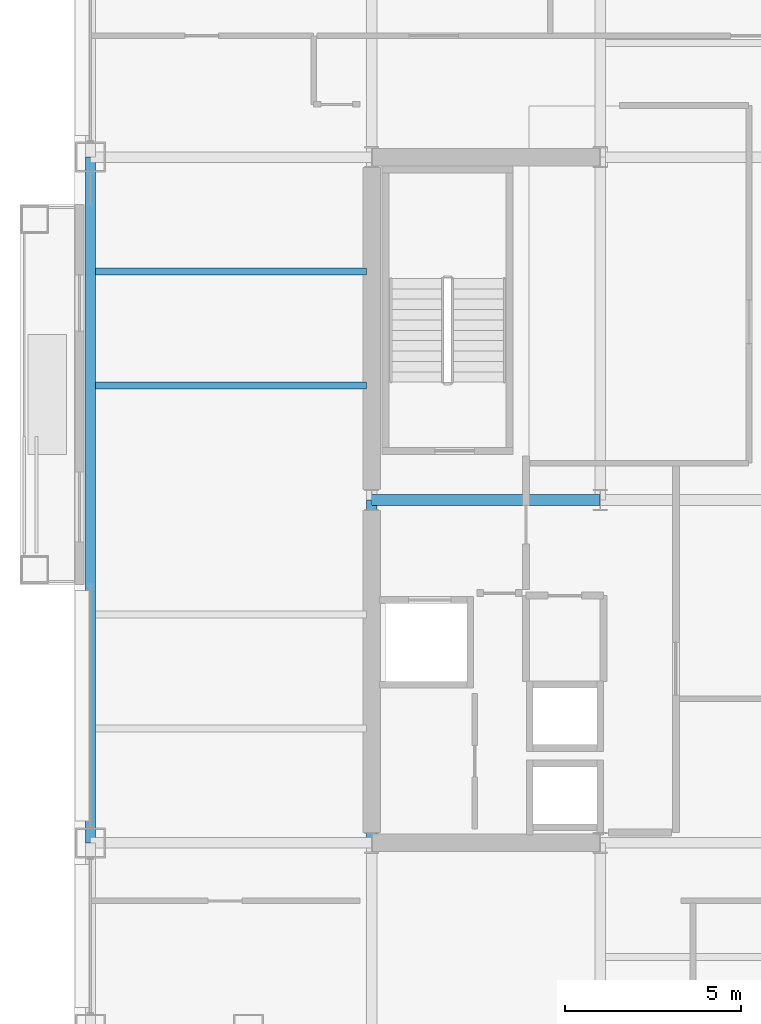
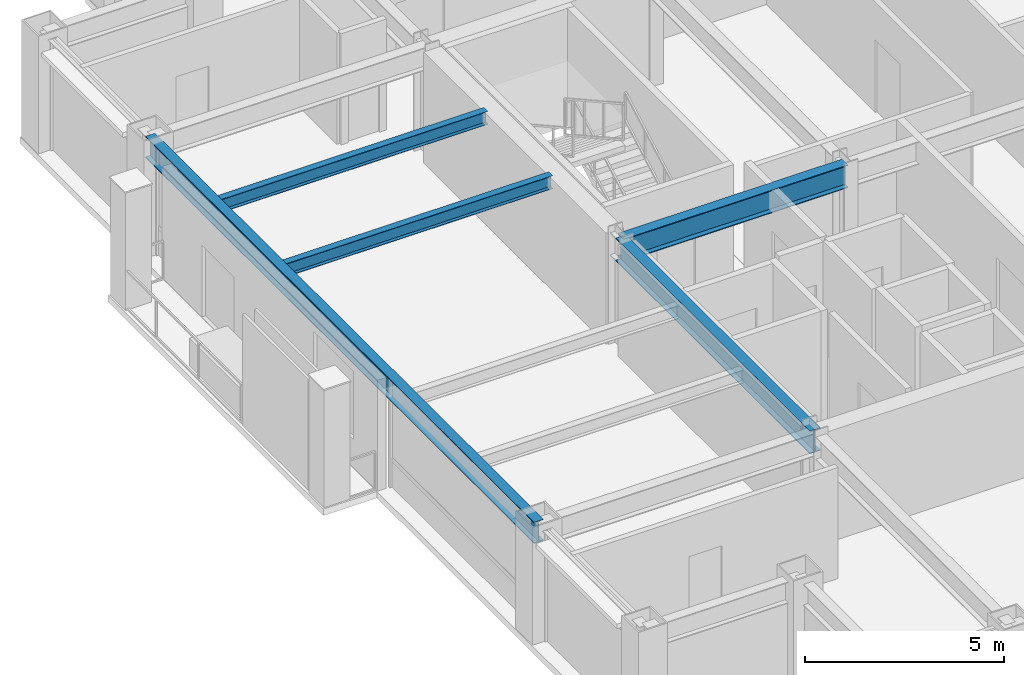
# One storey, part 10 of 31: 5 beams.
"""IFC4 building model written with IfcOpenShell, lengths in metres."""

from ifc_helpers import new_model, si_unit, direction, frame, origin, origin_2d, place, context, subcontext, project, spatial, i_section, extrude, material, material_profile, profile_set, type_object, element, save


model = new_model("IFC4")

# Units and contexts
model_context = context("Model", 3, precision=1e-05, world=origin(), true_north=direction((0.0, 1.0)))
body_context = subcontext(model_context, "Body", "Model", "MODEL_VIEW")
ifc_project = project(units=[si_unit("LENGTHUNIT", "METRE"), si_unit("AREAUNIT", "SQUARE_METRE"), si_unit("VOLUMEUNIT", "CUBIC_METRE"), si_unit("PLANEANGLEUNIT", "RADIAN"), si_unit("MASSUNIT", "GRAM", prefix="KILO")], contexts=[model_context])

# Site, building, storey
site_placement = place(None, origin())
site = spatial("IfcSite", under=ifc_project, at=site_placement, CompositionType="ELEMENT")
building_placement = place(site_placement, origin())
building = spatial("IfcBuilding", under=site, at=building_placement, Name="Brelmoor Portico Tower", CompositionType="ELEMENT")
storey_placement = place(building_placement, frame((0.0, 0.0, 106.199951171875)))
storey = spatial("IfcBuildingStorey", under=building, at=storey_placement, Name="L27", CompositionType="ELEMENT", Elevation=106.199951171875)

# Beams
ifc_material = material(Name="Steel Q355B", Category="steel")
ifc_material_profile_1 = material_profile(ifc_material, i_section(OverallWidth=0.199951171875, OverallDepth=0.39990234375, WebThickness=0.008056640625, FlangeThickness=0.012939453125, at=origin_2d()), Name="HN 400x200x8x13")
ifc_profile_set_1 = profile_set([ifc_material_profile_1], Name="Steel Q355B")
beam_type_1 = type_object("IfcBeamType", Name="BM-JS-400", PredefinedType="JOIST", material=ifc_profile_set_1)
for number, where, z_axis, x_axis, name in (
    (1, (-22.409912109375, 3.25, 3.199951171875), (1.0, 0.0, 0.0), (0.0, 1.0, 0.0), "L27 Secondary Wing Joist JS-W07"),
    (2, (-22.409912109375, 6.5, 3.199951171875), (1.0, 0.0, 0.0), (0.0, 1.0, 0.0), "L27 Secondary Wing Joist JS-W08"),
):
    element("IfcBeam", number, at=place(storey_placement, frame(where, z_axis=z_axis, x_axis=x_axis)), inside=storey, type_object=beam_type_1, Name=name, PredefinedType="JOIST", context=body_context, shape_type="SweptSolid", body=[
        extrude(i_section(OverallWidth=0.199951171875, OverallDepth=0.39990234375, WebThickness=0.008056640625, FlangeThickness=0.012939453125, at=origin_2d()), origin(), (0.0, 0.0, 1.0), 7.7099609375),
    ])
ifc_material_profile_2 = material_profile(ifc_material, i_section(OverallWidth=0.300048828125, OverallDepth=0.699951171875, WebThickness=0.012939453125, FlangeThickness=0.02392578125, at=origin_2d()), Name="HN 700x300x13x24")
ifc_profile_set_2 = profile_set([ifc_material_profile_2], Name="Steel Q355B")
beam_type_2 = type_object("IfcBeamType", Name="BM-PG-700", PredefinedType="BEAM", material=ifc_profile_set_2)
beam_1_placement = place(storey_placement, frame((-14.550048828125, -9.75, 3.050048828125), z_axis=(0.0, 1.0, 0.0), x_axis=(-1.0, 0.0, 0.0)))
element("IfcBeam", 3, at=beam_1_placement, inside=storey, type_object=beam_type_2, Name="L27 Primary Floor Girder PG-02", PredefinedType="BEAM", context=body_context, shape_type="SweptSolid", body=[
    extrude(i_section(OverallWidth=0.300048828125, OverallDepth=0.699951171875, WebThickness=0.012939453125, FlangeThickness=0.02392578125, at=origin_2d()), origin(), (0.0, 0.0, 1.0), 9.75),
])
beam_2_placement = place(storey_placement, frame((-14.550048828125, 0.0, 3.050048828125), z_axis=(1.0, 0.0, 0.0), x_axis=(0.0, 1.0, 0.0)))
element("IfcBeam", 4, at=beam_2_placement, inside=storey, type_object=beam_type_2, Name="L27 Primary Floor Girder PG-19", PredefinedType="BEAM", context=body_context, shape_type="SweptSolid", body=[
    extrude(i_section(OverallWidth=0.300048828125, OverallDepth=0.699951171875, WebThickness=0.012939453125, FlangeThickness=0.02392578125, at=origin_2d()), origin(), (0.0, 0.0, 1.0), 6.5),
])
ifc_material_profile_3 = material_profile(ifc_material, i_section(OverallWidth=0.280029296875, OverallDepth=0.64990234375, WebThickness=0.012939453125, FlangeThickness=0.02197265625, at=origin_2d()), Name="HN 650x280x13x22")
ifc_profile_set_3 = profile_set([ifc_material_profile_3], Name="Steel Q355B")
beam_type_3 = type_object("IfcBeamType", Name="BM-SP-650", PredefinedType="SPANDREL", material=ifc_profile_set_3)
beam_3_placement = place(storey_placement, frame((-22.550048828125, -9.75, 3.074951171875), z_axis=(0.0, 1.0, 0.0), x_axis=(-1.0, 0.0, 0.0)))
element("IfcBeam", 5, at=beam_3_placement, inside=storey, type_object=beam_type_3, Name="L27 Perimeter Spandrel Beam SP-16", PredefinedType="SPANDREL", context=body_context, shape_type="SweptSolid", body=[
    extrude(i_section(OverallWidth=0.280029296875, OverallDepth=0.64990234375, WebThickness=0.012939453125, FlangeThickness=0.02197265625, at=origin_2d()), origin(), (0.0, 0.0, 1.0), 19.5),
])

save(model, "model.ifc")
